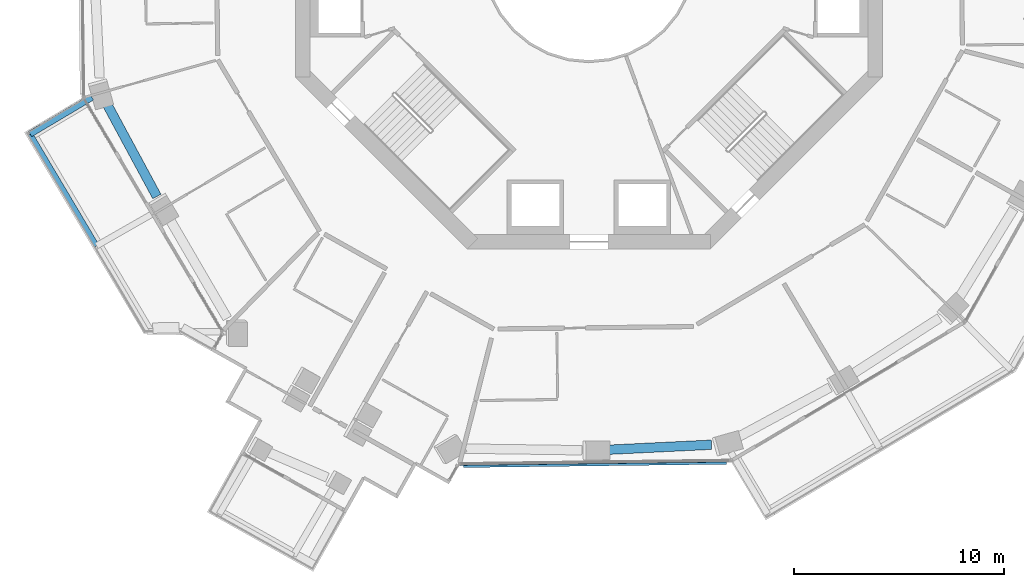
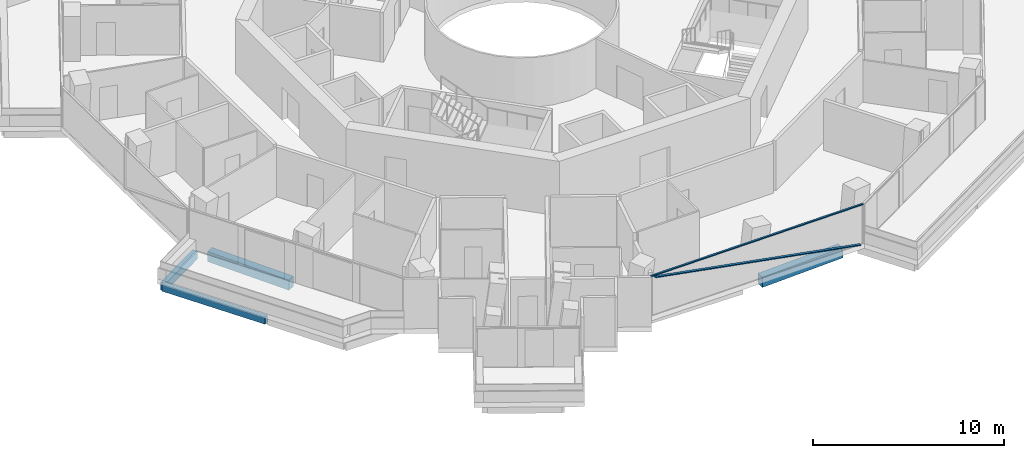
# One storey, part 3 of 21: 4 beams, 2 members, 1 element without a shape of its own.
"""IFC4 building model written with IfcOpenShell, lengths in metres."""

from ifc_helpers import new_model, si_unit, direction, frame, origin, origin_2d, place, context, subcontext, project, spatial, rectangle, extrude, material, layer, layer_set, material_profile, profile_set, type_object, element, aggregate, save


model = new_model("IFC4")

# Units and contexts
model_context = context("Model", 3, precision=1e-05, world=origin(), true_north=direction((0.0, 1.0)))
body_context = subcontext(model_context, "Body", "Model", "MODEL_VIEW")
ifc_project = project(units=[si_unit("LENGTHUNIT", "METRE"), si_unit("AREAUNIT", "SQUARE_METRE"), si_unit("VOLUMEUNIT", "CUBIC_METRE"), si_unit("PLANEANGLEUNIT", "RADIAN"), si_unit("MASSUNIT", "GRAM", prefix="KILO")], contexts=[model_context])

# Site, building, storey
site_placement = place(None, origin())
site = spatial("IfcSite", under=ifc_project, at=site_placement, CompositionType="ELEMENT")
building_placement = place(site_placement, origin())
building = spatial("IfcBuilding", under=site, at=building_placement, Name="Verdalira Terraces Hotel", CompositionType="ELEMENT")
storey_placement = place(building_placement, frame((0.0, 0.0, 158.5)))
storey = spatial("IfcBuildingStorey", under=building, at=storey_placement, Name="L38", CompositionType="ELEMENT", Elevation=158.5)

# Beams
ifc_material_1 = material(Name="Concrete C40", Category="concrete")
ifc_material_profile_1 = material_profile(ifc_material_1, rectangle(XDim=0.300049, YDim=0.5, at=origin_2d()), Name="RC 300X500")
ifc_profile_set_1 = profile_set([ifc_material_profile_1], Name="Concrete C40")
beam_type_1 = type_object("IfcBeamType", Name="Balcony cantilever beam RC 300X500 C40", PredefinedType="BEAM", material=ifc_profile_set_1)
beam_1_placement = place(storey_placement, frame((-23.69751, -6.766846, -0.560059), z_axis=(-0.859671089, -0.510847941, 0.0), x_axis=(0.510847941, -0.859671089, 0.0)))
element("IfcBeam", 1, at=beam_1_placement, inside=storey, type_object=beam_type_1, Name="Balcony cantilever beam R13-1", PredefinedType="BEAM", context=body_context, shape_type="SweptSolid", body=[
    extrude(rectangle(XDim=0.300049, YDim=0.5, at=origin_2d()), origin(), (0.0, 0.0, 1.0), 3.429443),
])
ifc_material_2 = material(Name="Concrete C40", Category="concrete")
ifc_material_profile_2 = material_profile(ifc_material_2, rectangle(XDim=0.25, YDim=0.449951, at=origin_2d()), Name="RC 250X450")
ifc_profile_set_2 = profile_set([ifc_material_profile_2], Name="Concrete C40")
beam_type_2 = type_object("IfcBeamType", Name="Balcony edge beam RC 250X450 C40", PredefinedType="BEAM", material=ifc_profile_set_2)
beam_2_placement = place(storey_placement, frame((-26.645752, -8.518799, -0.534912), z_axis=(0.510854428, -0.859667234, 0.0), x_axis=(0.859667234, 0.510854428, 0.0)))
element("IfcBeam", 2, at=beam_2_placement, inside=storey, type_object=beam_type_2, Name="Balcony edge beam R13-1", PredefinedType="BEAM", context=body_context, shape_type="SweptSolid", body=[
    extrude(rectangle(XDim=0.25, YDim=0.449951, at=origin_2d()), origin(), (0.0, 0.0, 1.0), 6.199951),
])

# Curtain wall, members
ifc_material_3 = material(Name="Clear glass", Category="glass")
ifc_layer = layer(ifc_material_3, 0.14990234375)
ifc_layer_set = layer_set([ifc_layer], Name="CW1 curtain wall")
curtain_wall_type = type_object("IfcCurtainWallType", Name="CW1 curtain wall", PredefinedType="NOTDEFINED", material=ifc_layer_set)
curtain_wall_placement = place(storey_placement, origin())
curtain_wall = element("IfcCurtainWall", 3, at=curtain_wall_placement, inside=storey, type_object=curtain_wall_type, Name="CW1 curtain wall L38 edge 25", PredefinedType="NOTDEFINED")
ifc_material_4 = material(Name="Terracotta frame", Category="masonry")
ifc_material_profile_3 = material_profile(ifc_material_4, rectangle(XDim=0.110107, YDim=0.064941, at=origin_2d()), Name="TR 65x110")
ifc_profile_set_3 = profile_set([ifc_material_profile_3], Name="Terracotta frame")
member_type_1 = type_object("IfcMemberType", Name="CW1 transom 65x110", PredefinedType="USERDEFINED", material=ifc_profile_set_3)
member_1_placement = place(storey_placement, frame((-6.195557, -24.263184, 2.507568), z_axis=(0.999921055, 0.012565183, 0.0), x_axis=(-0.012565183, 0.999921055, 0.0)))
member_1 = element("IfcMember", 4, at=member_1_placement, type_object=member_type_1, Name="CW1 transom", ObjectType="TRANSOM", PredefinedType="USERDEFINED", context=body_context, shape_type="SweptSolid", body=[
    extrude(rectangle(XDim=0.110107, YDim=0.064941, at=origin_2d()), origin(), (0.0, 0.0, 1.0), 12.959717),
])
ifc_material_5 = material(Name="Terracotta frame", Category="masonry")
ifc_material_profile_4 = material_profile(ifc_material_5, rectangle(XDim=0.149902, YDim=0.060059, at=origin_2d()), Name="GB 60x150")
ifc_profile_set_4 = profile_set([ifc_material_profile_4], Name="Terracotta frame")
member_type_2 = type_object("IfcMemberType", Name="Diagonal glazing bar 60x150", PredefinedType="USERDEFINED", material=ifc_profile_set_4)
member_2_placement = place(storey_placement, frame((-5.979736, -24.349365, 2.445068), z_axis=(0.981847245, 0.012340052, -0.189271528), x_axis=(-0.012567207, 0.99992103, 0.0)))
member_2 = element("IfcMember", 5, at=member_2_placement, type_object=member_type_2, Name="Diagonal glazing bar", ObjectType="GLAZING BAR", PredefinedType="USERDEFINED", context=body_context, shape_type="SweptSolid", body=[
    extrude(rectangle(XDim=0.149902, YDim=0.060059, at=origin_2d()), origin(), (0.0, 0.0, 1.0), 12.760986),
])
aggregate(curtain_wall, [member_1, member_2])

# Beams
ifc_material_6 = material(Name="Concrete C50", Category="concrete")
ifc_material_profile_5 = material_profile(ifc_material_6, rectangle(XDim=0.449951, YDim=0.649902, at=origin_2d()), Name="RC 450X650")
ifc_profile_set_5 = profile_set([ifc_material_profile_5], Name="Concrete C50")
beam_type_3 = type_object("IfcBeamType", Name="Spandrel beam RC 450X650 C50", PredefinedType="SPANDREL", material=ifc_profile_set_5)
beam_3_placement = place(storey_placement, frame((-22.986816, -7.084473, -0.63501), z_axis=(0.475472237, -0.879730727, 0.0), x_axis=(0.879730727, 0.475472237, 0.0)))
element("IfcBeam", 6, at=beam_3_placement, inside=storey, type_object=beam_type_3, Name="Spandrel beam B06", PredefinedType="SPANDREL", context=body_context, shape_type="SweptSolid", body=[
    extrude(rectangle(XDim=0.449951, YDim=0.649902, at=origin_2d()), origin(), (0.0, 0.0, 1.0), 5.015625),
])
beam_4_placement = place(storey_placement, frame((0.837891, -23.577637, -0.63501), z_axis=(0.998824978, 0.048463005, 0.0), x_axis=(-0.048463005, 0.998824978, 0.0)))
element("IfcBeam", 7, at=beam_4_placement, inside=storey, type_object=beam_type_3, Name="Spandrel beam B10", PredefinedType="SPANDREL", context=body_context, shape_type="SweptSolid", body=[
    extrude(rectangle(XDim=0.449951, YDim=0.649902, at=origin_2d()), origin(), (0.0, 0.0, 1.0), 5.012451),
])

save(model, "model.ifc")
